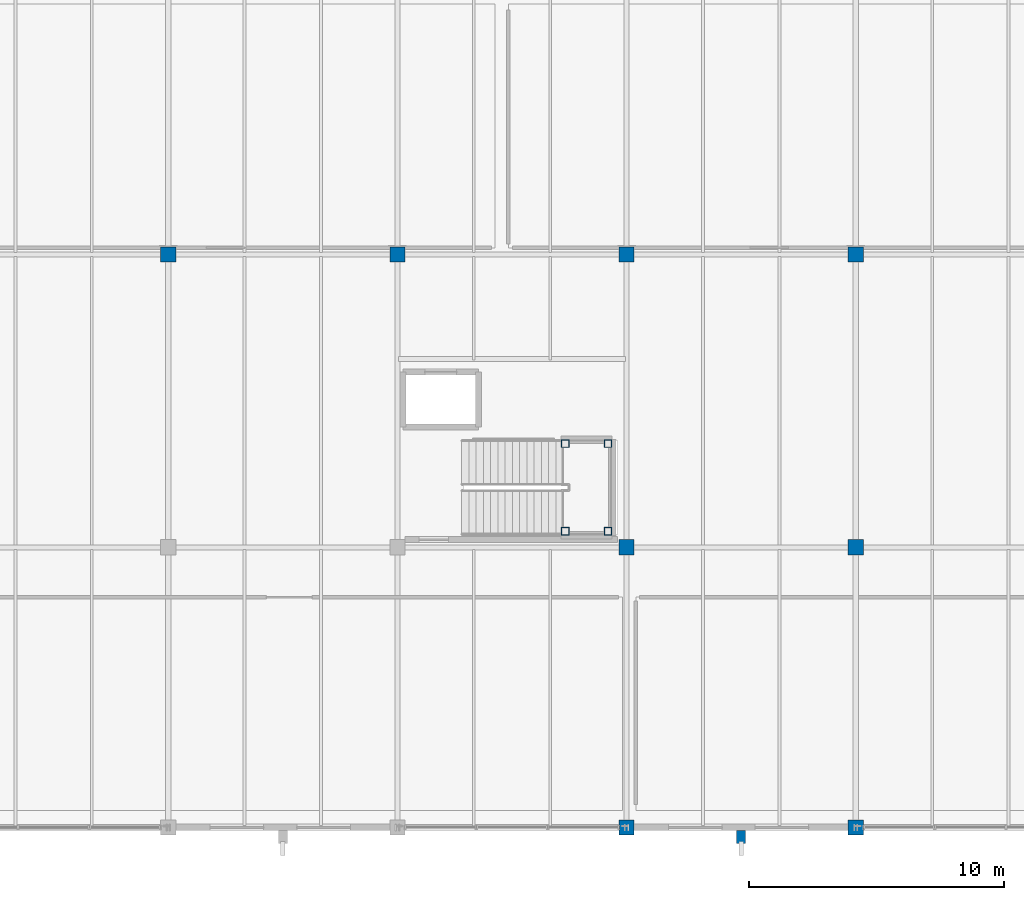
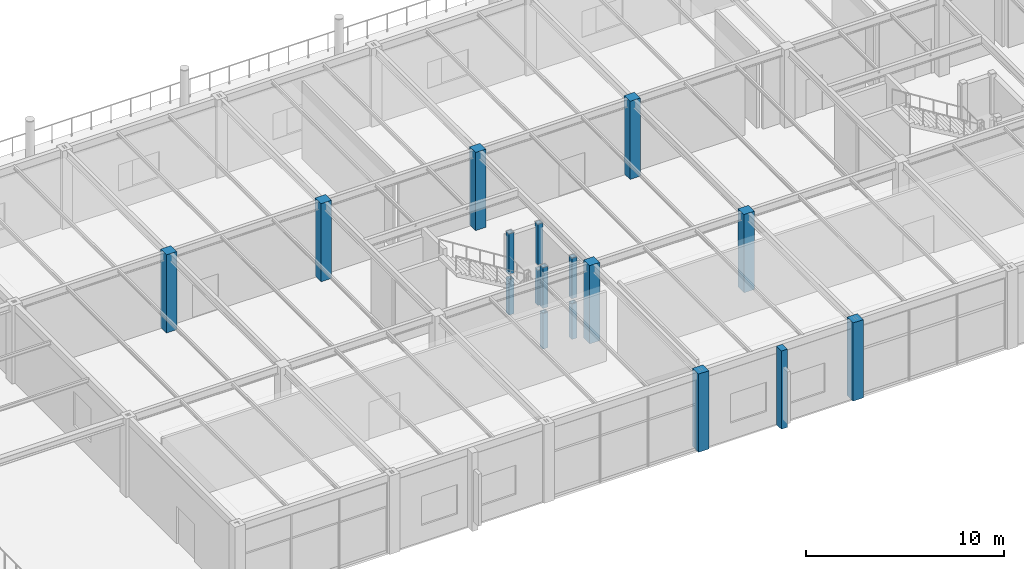
# One storey, part 16 of 143: 17 columns.
"""IFC4 building model written with IfcOpenShell, lengths in metres."""

from ifc_helpers import new_model, si_unit, direction, frame, origin, origin_2d, place, context, subcontext, project, spatial, rectangle, hollow_rectangle, extrude, material, material_profile, profile_set, type_object, element, save


model = new_model("IFC4")

# Units and contexts
model_context = context("Model", 3, precision=1e-05, world=origin(), true_north=direction((0.0, 1.0)))
body_context = subcontext(model_context, "Body", "Model", "MODEL_VIEW")
ifc_project = project(units=[si_unit("LENGTHUNIT", "METRE"), si_unit("AREAUNIT", "SQUARE_METRE"), si_unit("VOLUMEUNIT", "CUBIC_METRE"), si_unit("PLANEANGLEUNIT", "RADIAN"), si_unit("MASSUNIT", "GRAM", prefix="KILO")], contexts=[model_context])

# Site, building, storey
site_placement = place(None, origin())
site = spatial("IfcSite", under=ifc_project, at=site_placement, CompositionType="ELEMENT")
building_placement = place(site_placement, origin())
building = spatial("IfcBuilding", under=site, at=building_placement, Name="Marlcrest Central Station", CompositionType="ELEMENT")
storey_placement = place(building_placement, frame((0.0, 0.0, 4.800048828125)))
storey = spatial("IfcBuildingStorey", under=building, at=storey_placement, Name="L01", CompositionType="ELEMENT", Elevation=4.800048828125)

# Columns
ifc_material_1 = material(Name="Precast concrete C40/50", Category="concrete")
ifc_material_profile_1 = material_profile(ifc_material_1, rectangle(XDim=0.35009765625, YDim=0.5, at=origin_2d()), Name="PIL 350x500")
ifc_profile_set_1 = profile_set([ifc_material_profile_1], Name="Precast concrete C40/50")
column_type_1 = type_object("IfcColumnType", Name="PL-01", PredefinedType="PILASTER", material=ifc_profile_set_1)
column_1_placement = place(storey_placement, frame((184.5, -0.3798828125, 0.0), z_axis=(0.0, 0.0, 1.0), x_axis=(1.0, 0.0, 0.0)))
element("IfcColumn", 1, at=column_1_placement, inside=storey, type_object=column_type_1, Name="col-PL-01-L01-0330", PredefinedType="PILASTER", context=body_context, shape_type="SweptSolid", body=[
    extrude(rectangle(XDim=0.35009765625, YDim=0.5, at=origin_2d()), origin(), (0.0, 0.0, 1.0), 4.81494140625),
])
ifc_material_2 = material(Name="Concrete C50/60", Category="concrete")
ifc_material_profile_2 = material_profile(ifc_material_2, rectangle(XDim=0.60009765625, YDim=0.60009765625, at=origin_2d()), Name="RC 600x600")
ifc_profile_set_2 = profile_set([ifc_material_profile_2], Name="Concrete C50/60")
column_type_2 = type_object("IfcColumnType", Name="RC-04", PredefinedType="COLUMN", material=ifc_profile_set_2)
for number, where, z_axis, x_axis, name in (
    (2, (162.0, 22.5, 0.0), (0.0, 0.0, 1.0), (1.0, 0.0, 0.0), "col-RC-04-L01-0302"),
    (3, (171.0, 22.5, 0.0), (0.0, 0.0, 1.0), (1.0, 0.0, 0.0), "col-RC-04-L01-0306"),
    (4, (180.0, 0.0, 0.0), (0.0, 0.0, 1.0), (1.0, 0.0, 0.0), "col-RC-04-L01-0308"),
    (5, (180.0, 11.0, 0.0), (0.0, 0.0, 1.0), (1.0, 0.0, 0.0), "col-RC-04-L01-0309"),
    (6, (180.0, 22.5, 0.0), (0.0, 0.0, 1.0), (1.0, 0.0, 0.0), "col-RC-04-L01-0310"),
    (7, (189.0, 0.0, 0.0), (0.0, 0.0, 1.0), (1.0, 0.0, 0.0), "col-RC-04-L01-0312"),
    (8, (189.0, 11.0, 0.0), (0.0, 0.0, 1.0), (1.0, 0.0, 0.0), "col-RC-04-L01-0313"),
    (9, (189.0, 22.5, 0.0), (0.0, 0.0, 1.0), (1.0, 0.0, 0.0), "col-RC-04-L01-0314"),
):
    element("IfcColumn", number, at=place(storey_placement, frame(where, z_axis=z_axis, x_axis=x_axis)), inside=storey, type_object=column_type_2, Name=name, PredefinedType="COLUMN", context=body_context, shape_type="SweptSolid", body=[
        extrude(rectangle(XDim=0.60009765625, YDim=0.60009765625, at=origin_2d()), origin(), (0.0, 0.0, 1.0), 4.81494140625),
    ])
ifc_material_3 = material(Name="Steel S355", Category="steel")
ifc_material_profile_3 = material_profile(ifc_material_3, hollow_rectangle(XDim=0.300048828125, YDim=0.300048828125, WallThickness=0.01611328125, at=origin_2d()), Name="SHS 300x300x16")
ifc_profile_set_3 = profile_set([ifc_material_profile_3], Name="Steel S355")
column_type_3 = type_object("IfcColumnType", Name="SC-19", PredefinedType="COLUMN", material=ifc_profile_set_3)
column_2_placement = place(storey_placement, frame((177.590087890625, 11.6298828125, 0.0), z_axis=(0.0, 0.0, 1.0), x_axis=(1.0, 0.0, 0.0)))
element("IfcColumn", 10, at=column_2_placement, inside=storey, type_object=column_type_3, Name="htcol-lo-0039-0", PredefinedType="COLUMN", context=body_context, shape_type="SweptSolid", body=[
    extrude(hollow_rectangle(XDim=0.300048828125, YDim=0.300048828125, WallThickness=0.01611328125, at=origin_2d()), origin(), (0.0, 0.0, 1.0), 2.179931640625),
])
column_3_placement = place(storey_placement, frame((177.590087890625, 11.6298828125, 2.5), z_axis=(0.0, 0.0, 1.0), x_axis=(1.0, 0.0, 0.0)))
element("IfcColumn", 11, at=column_3_placement, inside=storey, type_object=column_type_3, Name="htcol-hi-0039-0", PredefinedType="COLUMN", context=body_context, shape_type="SweptSolid", body=[
    extrude(hollow_rectangle(XDim=0.300048828125, YDim=0.300048828125, WallThickness=0.01611328125, at=origin_2d()), origin(), (0.0, 0.0, 1.0), 2.5),
])
column_4_placement = place(storey_placement, frame((179.27001953125, 11.6298828125, 0.0), z_axis=(0.0, 0.0, 1.0), x_axis=(1.0, 0.0, 0.0)))
element("IfcColumn", 12, at=column_4_placement, inside=storey, type_object=column_type_3, Name="htcol-lo-0039-1", PredefinedType="COLUMN", context=body_context, shape_type="SweptSolid", body=[
    extrude(hollow_rectangle(XDim=0.300048828125, YDim=0.300048828125, WallThickness=0.01611328125, at=origin_2d()), origin(), (0.0, 0.0, 1.0), 2.179931640625),
])
column_5_placement = place(storey_placement, frame((179.27001953125, 11.6298828125, 2.5), z_axis=(0.0, 0.0, 1.0), x_axis=(1.0, 0.0, 0.0)))
element("IfcColumn", 13, at=column_5_placement, inside=storey, type_object=column_type_3, Name="htcol-hi-0039-1", PredefinedType="COLUMN", context=body_context, shape_type="SweptSolid", body=[
    extrude(hollow_rectangle(XDim=0.300048828125, YDim=0.300048828125, WallThickness=0.01611328125, at=origin_2d()), origin(), (0.0, 0.0, 1.0), 2.5),
])
column_6_placement = place(storey_placement, frame((179.27001953125, 15.070068359375, 0.0), z_axis=(0.0, 0.0, 1.0), x_axis=(1.0, 0.0, 0.0)))
element("IfcColumn", 14, at=column_6_placement, inside=storey, type_object=column_type_3, Name="htcol-lo-0039-2", PredefinedType="COLUMN", context=body_context, shape_type="SweptSolid", body=[
    extrude(hollow_rectangle(XDim=0.300048828125, YDim=0.300048828125, WallThickness=0.01611328125, at=origin_2d()), origin(), (0.0, 0.0, 1.0), 2.179931640625),
])
column_7_placement = place(storey_placement, frame((179.27001953125, 15.070068359375, 2.5), z_axis=(0.0, 0.0, 1.0), x_axis=(1.0, 0.0, 0.0)))
element("IfcColumn", 15, at=column_7_placement, inside=storey, type_object=column_type_3, Name="htcol-hi-0039-2", PredefinedType="COLUMN", context=body_context, shape_type="SweptSolid", body=[
    extrude(hollow_rectangle(XDim=0.300048828125, YDim=0.300048828125, WallThickness=0.01611328125, at=origin_2d()), origin(), (0.0, 0.0, 1.0), 2.5),
])
column_8_placement = place(storey_placement, frame((177.590087890625, 15.070068359375, 0.0), z_axis=(0.0, 0.0, 1.0), x_axis=(1.0, 0.0, 0.0)))
element("IfcColumn", 16, at=column_8_placement, inside=storey, type_object=column_type_3, Name="htcol-lo-0039-3", PredefinedType="COLUMN", context=body_context, shape_type="SweptSolid", body=[
    extrude(hollow_rectangle(XDim=0.300048828125, YDim=0.300048828125, WallThickness=0.01611328125, at=origin_2d()), origin(), (0.0, 0.0, 1.0), 2.179931640625),
])
column_9_placement = place(storey_placement, frame((177.590087890625, 15.070068359375, 2.5), z_axis=(0.0, 0.0, 1.0), x_axis=(1.0, 0.0, 0.0)))
element("IfcColumn", 17, at=column_9_placement, inside=storey, type_object=column_type_3, Name="htcol-hi-0039-3", PredefinedType="COLUMN", context=body_context, shape_type="SweptSolid", body=[
    extrude(hollow_rectangle(XDim=0.300048828125, YDim=0.300048828125, WallThickness=0.01611328125, at=origin_2d()), origin(), (0.0, 0.0, 1.0), 2.5),
])

save(model, "model.ifc")
